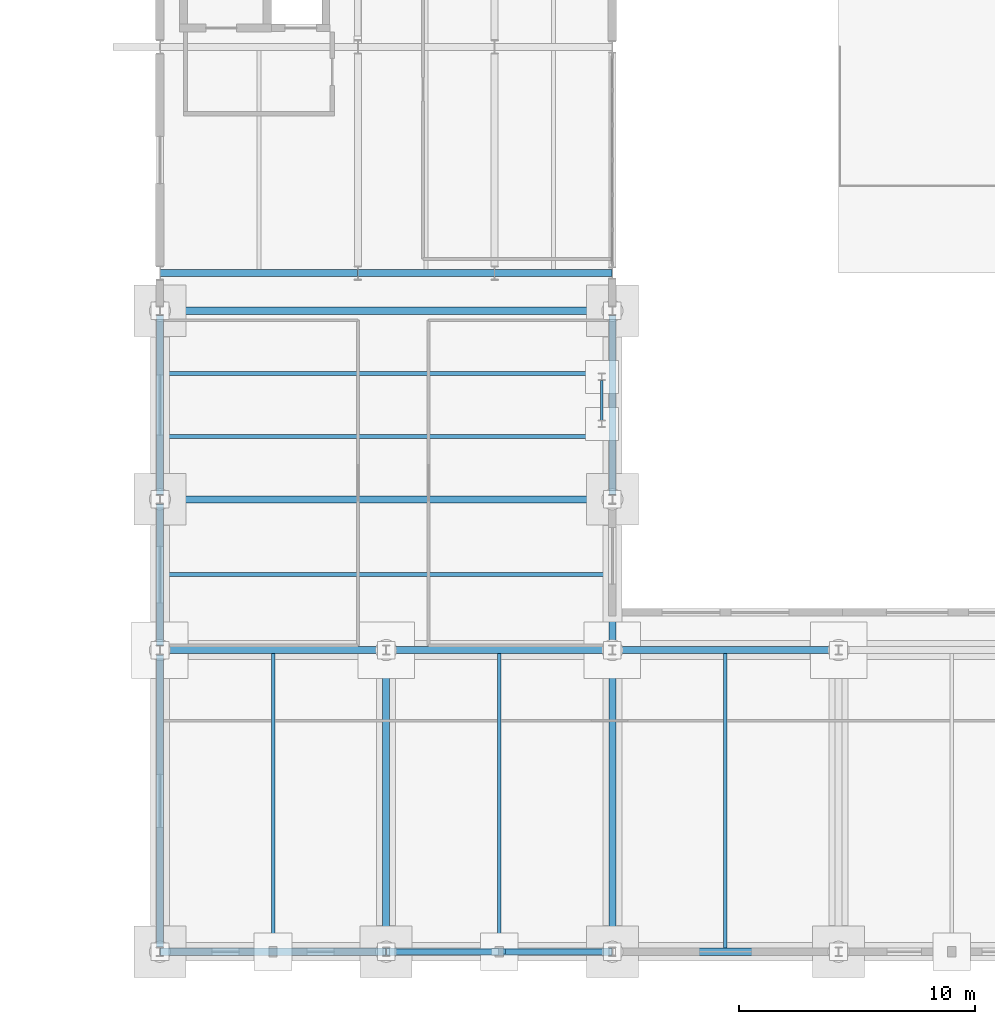
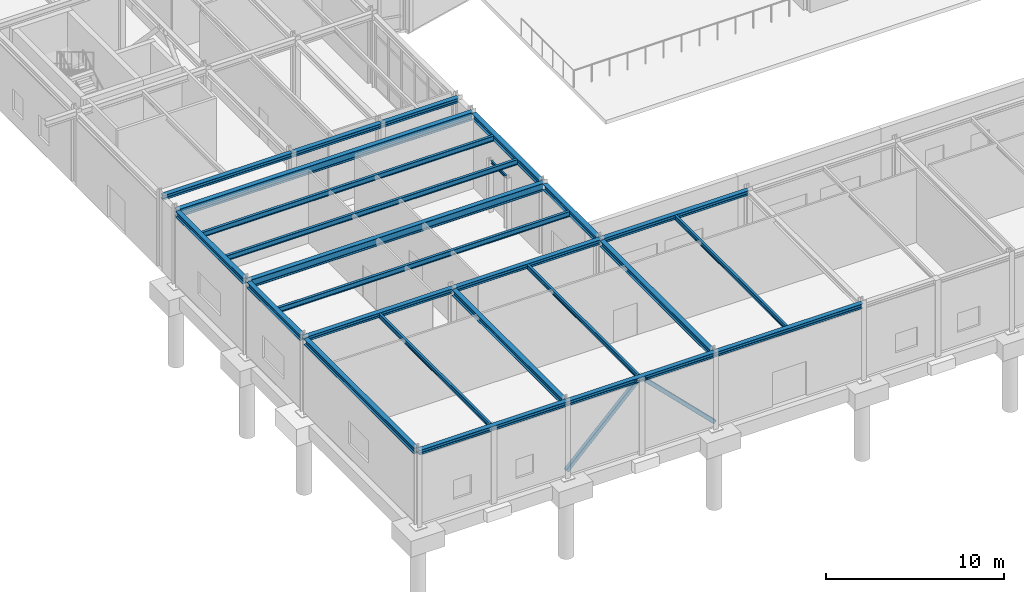
# One storey, part 20 of 109: 25 beams, 2 members.
"""IFC4 building model written with IfcOpenShell, lengths in metres."""

from ifc_helpers import new_model, si_unit, direction, frame, origin, origin_2d, place, context, subcontext, project, spatial, hollow_rectangle, i_section, extrude, material, material_profile, profile_set, type_object, element, save


model = new_model("IFC4")

# Units and contexts
model_context = context("Model", 3, precision=1e-05, world=origin(), true_north=direction((0.0, 1.0)))
body_context = subcontext(model_context, "Body", "Model", "MODEL_VIEW")
ifc_project = project(units=[si_unit("LENGTHUNIT", "METRE"), si_unit("AREAUNIT", "SQUARE_METRE"), si_unit("VOLUMEUNIT", "CUBIC_METRE"), si_unit("PLANEANGLEUNIT", "RADIAN"), si_unit("MASSUNIT", "GRAM", prefix="KILO")], contexts=[model_context])

# Site, building, storey
site_placement = place(None, origin())
site = spatial("IfcSite", under=ifc_project, at=site_placement, CompositionType="ELEMENT")
building_placement = place(site_placement, origin())
building = spatial("IfcBuilding", under=site, at=building_placement, Name="Nordkorset Police Headquarters", CompositionType="ELEMENT")
storey_placement = place(building_placement, origin())
storey = spatial("IfcBuildingStorey", under=building, at=storey_placement, Name="L00", CompositionType="ELEMENT", Elevation=0.0)

# Beams
ifc_material_1 = material(Name="Steel S355J2", Category="steel")
ifc_material_profile_1 = material_profile(ifc_material_1, i_section(OverallWidth=0.14990234375, OverallDepth=0.300048828125, WebThickness=0.007080078125, FlangeThickness=0.0107421875, FilletRadius=0.014892578125, at=origin_2d()), Name="IPE 300")
ifc_profile_set_1 = profile_set([ifc_material_profile_1], Name="Steel S355J2")
beam_type_1 = type_object("IfcBeamType", Name="Beam_IPE_300", PredefinedType="JOIST", material=ifc_profile_set_1)
for number, where, z_axis, x_axis, name in (
    (1, (4.800048828125, 0.14990234375, 4.85009765625), (0.0, 1.0, 0.0), (-1.0, 0.0, 0.0), "Composite Floor Beam V7S L00 0-0-1"),
    (2, (14.39990234375, 0.14990234375, 4.85009765625), (0.0, 1.0, 0.0), (-1.0, 0.0, 0.0), "Composite Floor Beam V7S L00 1-0-1"),
    (3, (24.0, 0.14990234375, 4.85009765625), (0.0, 1.0, 0.0), (-1.0, 0.0, 0.0), "Composite Floor Beam V7S L00 2-0-1"),
):
    element("IfcBeam", number, at=place(storey_placement, frame(where, z_axis=z_axis, x_axis=x_axis)), inside=storey, type_object=beam_type_1, Name=name, PredefinedType="JOIST", context=body_context, shape_type="SweptSolid", body=[
        extrude(i_section(OverallWidth=0.14990234375, OverallDepth=0.300048828125, WebThickness=0.007080078125, FlangeThickness=0.0107421875, FilletRadius=0.014892578125, at=origin_2d()), origin(), (0.0, 0.0, 1.0), 12.5),
    ])
ifc_material_2 = material(Name="Steel S355J2", Category="steel")
ifc_material_profile_2 = material_profile(ifc_material_2, i_section(OverallWidth=0.169921875, OverallDepth=0.360107421875, WebThickness=0.008056640625, FlangeThickness=0.0126953125, FilletRadius=0.01806640625, at=origin_2d()), Name="IPE 360")
ifc_profile_set_2 = profile_set([ifc_material_profile_2], Name="Steel S355J2")
beam_type_2 = type_object("IfcBeamType", Name="Beam_IPE_360", PredefinedType="BEAM", material=ifc_profile_set_2)
for number, where, z_axis, x_axis, name in (
    (4, (0.14990234375, 16.0, 4.820068359375), (1.0, 0.0, 0.0), (0.0, 1.0, 0.0), "Composite Floor Beam V7W L00 0-0-1"),
    (5, (0.14990234375, 21.86669921875, 4.820068359375), (1.0, 0.0, 0.0), (0.0, 1.0, 0.0), "Composite Floor Beam V7W L00 0-1-1"),
    (6, (0.14990234375, 24.533447265625, 4.820068359375), (1.0, 0.0, 0.0), (0.0, 1.0, 0.0), "Composite Floor Beam V7W L00 0-1-2"),
):
    element("IfcBeam", number, at=place(storey_placement, frame(where, z_axis=z_axis, x_axis=x_axis)), inside=storey, type_object=beam_type_2, Name=name, PredefinedType="BEAM", context=body_context, shape_type="SweptSolid", body=[
        extrude(i_section(OverallWidth=0.169921875, OverallDepth=0.360107421875, WebThickness=0.008056640625, FlangeThickness=0.0126953125, FilletRadius=0.01806640625, at=origin_2d()), origin(), (0.0, 0.0, 1.0), 18.900146484375),
    ])

# Members
ifc_material_3 = material(Name="Steel S355J2", Category="steel")
ifc_material_profile_3 = material_profile(ifc_material_3, hollow_rectangle(XDim=0.25, YDim=0.25, WallThickness=0.012451171875, InnerFilletRadius=0.012451171875, OuterFilletRadius=0.02490234375, at=origin_2d()), Name="SHS 250x250x12.5")
ifc_profile_set_3 = profile_set([ifc_material_profile_3], Name="Steel S355J2")
member_type = type_object("IfcMemberType", Name="Brace_SHS_250x250x12.5", PredefinedType="BRACE", material=ifc_profile_set_3)
for number, where, z_axis, x_axis, name in (
    (7, (9.606689453125, 0.0, 0.199951171875), (0.709655969555, 0.0, 0.704548369436), (0.0, 1.0, 0.0), "Lateral Chevron Brace BF-EXT-V7S1 L00 D1"),
    (8, (19.193359375, 0.0, 0.199951171875), (-0.709655969555, 0.0, 0.704548369436), (0.0, -1.0, 0.0), "Lateral Chevron Brace BF-EXT-V7S1 L00 D2"),
):
    element("IfcMember", number, at=place(storey_placement, frame(where, z_axis=z_axis, x_axis=x_axis)), inside=storey, type_object=member_type, Name=name, PredefinedType="BRACE", context=body_context, shape_type="SweptSolid", body=[
        extrude(hollow_rectangle(XDim=0.25, YDim=0.25, WallThickness=0.012451171875, InnerFilletRadius=0.012451171875, OuterFilletRadius=0.02490234375, at=origin_2d()), origin(), (0.0, 0.0, 1.0), 6.500732421875),
    ])

# Beams
ifc_material_4 = material(Name="Steel S355J2", Category="steel")
ifc_material_profile_4 = material_profile(ifc_material_4, i_section(OverallWidth=0.300048828125, OverallDepth=0.389892578125, WebThickness=0.010986328125, FlangeThickness=0.01904296875, FilletRadius=0.027099609375, at=origin_2d()), Name="HEA 400")
ifc_profile_set_4 = profile_set([ifc_material_profile_4], Name="Steel S355J2")
beam_type_3 = type_object("IfcBeamType", Name="Girder_HEA_400", PredefinedType="USERDEFINED", material=ifc_profile_set_4)
for number, where, z_axis, x_axis, name in (
    (9, (0.0, 0.199951171875, 4.804931640625), (0.0, 1.0, 0.0), (-1.0, 0.0, 0.0), "Girder V7S L00 GY-0-0"),
    (10, (9.60009765625, 0.199951171875, 4.804931640625), (0.0, 1.0, 0.0), (-1.0, 0.0, 0.0), "Girder V7S L00 GY-1-0"),
    (11, (19.199951171875, 0.199951171875, 4.804931640625), (0.0, 1.0, 0.0), (-1.0, 0.0, 0.0), "Girder V7S L00 GY-2-0"),
):
    element("IfcBeam", number, at=place(storey_placement, frame(where, z_axis=z_axis, x_axis=x_axis)), inside=storey, type_object=beam_type_3, Name=name, ObjectType="GIRDER", PredefinedType="USERDEFINED", context=body_context, shape_type="SweptSolid", body=[
        extrude(i_section(OverallWidth=0.300048828125, OverallDepth=0.389892578125, WebThickness=0.010986328125, FlangeThickness=0.01904296875, FilletRadius=0.027099609375, at=origin_2d()), origin(), (0.0, 0.0, 1.0), 12.400146484375),
    ])
beam_1_placement = place(storey_placement, frame((0.0, 13.0, 4.804931640625), z_axis=(0.0, 1.0, 0.0), x_axis=(-1.0, 0.0, 0.0)))
element("IfcBeam", 12, at=beam_1_placement, inside=storey, type_object=beam_type_3, Name="Girder V7W L00 GY-0-0", ObjectType="GIRDER", PredefinedType="USERDEFINED", context=body_context, shape_type="SweptSolid", body=[
    extrude(i_section(OverallWidth=0.300048828125, OverallDepth=0.389892578125, WebThickness=0.010986328125, FlangeThickness=0.01904296875, FilletRadius=0.027099609375, at=origin_2d()), origin(), (0.0, 0.0, 1.0), 6.0),
])
beam_2_placement = place(storey_placement, frame((0.0, 19.39990234375, 4.804931640625), z_axis=(0.0, 1.0, 0.0), x_axis=(-1.0, 0.0, 0.0)))
element("IfcBeam", 13, at=beam_2_placement, inside=storey, type_object=beam_type_3, Name="Girder V7W L00 GY-0-1", ObjectType="GIRDER", PredefinedType="USERDEFINED", context=body_context, shape_type="SweptSolid", body=[
    extrude(i_section(OverallWidth=0.300048828125, OverallDepth=0.389892578125, WebThickness=0.010986328125, FlangeThickness=0.01904296875, FilletRadius=0.027099609375, at=origin_2d()), origin(), (0.0, 0.0, 1.0), 7.60009765625),
])
beam_3_placement = place(storey_placement, frame((19.199951171875, 13.0, 4.804931640625), z_axis=(0.0, 1.0, 0.0), x_axis=(-1.0, 0.0, 0.0)))
element("IfcBeam", 14, at=beam_3_placement, inside=storey, type_object=beam_type_3, Name="Girder V7W L00 GY-1-0", ObjectType="GIRDER", PredefinedType="USERDEFINED", context=body_context, shape_type="SweptSolid", body=[
    extrude(i_section(OverallWidth=0.300048828125, OverallDepth=0.389892578125, WebThickness=0.010986328125, FlangeThickness=0.01904296875, FilletRadius=0.027099609375, at=origin_2d()), origin(), (0.0, 0.0, 1.0), 6.0),
])
beam_4_placement = place(storey_placement, frame((19.199951171875, 19.39990234375, 4.804931640625), z_axis=(0.0, 1.0, 0.0), x_axis=(-1.0, 0.0, 0.0)))
element("IfcBeam", 15, at=beam_4_placement, inside=storey, type_object=beam_type_3, Name="Girder V7W L00 GY-1-1", ObjectType="GIRDER", PredefinedType="USERDEFINED", context=body_context, shape_type="SweptSolid", body=[
    extrude(i_section(OverallWidth=0.300048828125, OverallDepth=0.389892578125, WebThickness=0.010986328125, FlangeThickness=0.01904296875, FilletRadius=0.027099609375, at=origin_2d()), origin(), (0.0, 0.0, 1.0), 7.60009765625),
])
ifc_material_5 = material(Name="Steel S355J2", Category="steel")
ifc_material_profile_5 = material_profile(ifc_material_5, i_section(OverallWidth=0.300048828125, OverallDepth=0.5400390625, WebThickness=0.012451171875, FlangeThickness=0.02392578125, FilletRadius=0.027099609375, at=origin_2d()), Name="HEA 550")
ifc_profile_set_5 = profile_set([ifc_material_profile_5], Name="Steel S355J2")
beam_type_4 = type_object("IfcBeamType", Name="Girder_HEA_550", PredefinedType="USERDEFINED", material=ifc_profile_set_5)
for number, where, z_axis, x_axis, name in (
    (16, (0.006591796875, 19.199951171875, 4.72998046875), (1.0, 0.0, 0.0), (0.0, 1.0, 0.0), "Girder V7W L00 GX-1-0"),
    (17, (0.006591796875, 27.199951171875, 4.72998046875), (1.0, 0.0, 0.0), (0.0, 1.0, 0.0), "Girder V7W L00 GX-2-0"),
):
    element("IfcBeam", number, at=place(storey_placement, frame(where, z_axis=z_axis, x_axis=x_axis)), inside=storey, type_object=beam_type_4, Name=name, ObjectType="GIRDER", PredefinedType="USERDEFINED", context=body_context, shape_type="SweptSolid", body=[
        extrude(i_section(OverallWidth=0.300048828125, OverallDepth=0.5400390625, WebThickness=0.012451171875, FlangeThickness=0.02392578125, FilletRadius=0.027099609375, at=origin_2d()), origin(), (0.0, 0.0, 1.0), 19.186767578125),
    ])
ifc_material_6 = material(Name="Steel S355J2", Category="steel")
ifc_material_profile_6 = material_profile(ifc_material_6, i_section(OverallWidth=0.10009765625, OverallDepth=0.199951171875, WebThickness=0.005615234375, FlangeThickness=0.008544921875, FilletRadius=0.011962890625, at=origin_2d()), Name="IPE 200")
ifc_profile_set_6 = profile_set([ifc_material_profile_6], Name="Steel S355J2")
beam_type_5 = type_object("IfcBeamType", Name="Lintel_IPE_200", PredefinedType="LINTEL", material=ifc_profile_set_6)
beam_5_placement = place(storey_placement, frame((18.75, 22.550048828125, 3.449951171875), z_axis=(0.0, 1.0, 0.0), x_axis=(-1.0, 0.0, 0.0)))
element("IfcBeam", 18, at=beam_5_placement, inside=storey, type_object=beam_type_5, Name="Opening Steel Lintel LNT-V7-W", PredefinedType="LINTEL", context=body_context, shape_type="SweptSolid", body=[
    extrude(i_section(OverallWidth=0.10009765625, OverallDepth=0.199951171875, WebThickness=0.005615234375, FlangeThickness=0.008544921875, FilletRadius=0.011962890625, at=origin_2d()), origin(), (0.0, 0.0, 1.0), 1.699951171875),
])
ifc_material_7 = material(Name="Steel S355J2", Category="steel")
ifc_material_profile_7 = material_profile(ifc_material_7, i_section(OverallWidth=0.300048828125, OverallDepth=0.31005859375, WebThickness=0.009033203125, FlangeThickness=0.015380859375, FilletRadius=0.027099609375, at=origin_2d()), Name="HEA 320")
ifc_profile_set_7 = profile_set([ifc_material_profile_7], Name="Steel S355J2")
beam_type_6 = type_object("IfcBeamType", Name="Spandrel_HEA_320", PredefinedType="SPANDREL", material=ifc_profile_set_7)
beam_6_placement = place(storey_placement, frame((0.0078125, 28.800048828125, 4.844970703125), z_axis=(1.0, 0.0, 0.0), x_axis=(0.0, 1.0, 0.0)))
element("IfcBeam", 19, at=beam_6_placement, inside=storey, type_object=beam_type_6, Name="Girder V3 L00 GX-0-0", PredefinedType="SPANDREL", context=body_context, shape_type="SweptSolid", body=[
    extrude(i_section(OverallWidth=0.300048828125, OverallDepth=0.31005859375, WebThickness=0.009033203125, FlangeThickness=0.015380859375, FilletRadius=0.027099609375, at=origin_2d()), origin(), (0.0, 0.0, 1.0), 8.384521484375),
])
beam_7_placement = place(storey_placement, frame((8.40771484375, 28.800048828125, 4.844970703125), z_axis=(1.0, 0.0, 0.0), x_axis=(0.0, 1.0, 0.0)))
element("IfcBeam", 20, at=beam_7_placement, inside=storey, type_object=beam_type_6, Name="Girder V3 L00 GX-0-1", PredefinedType="SPANDREL", context=body_context, shape_type="SweptSolid", body=[
    extrude(i_section(OverallWidth=0.300048828125, OverallDepth=0.31005859375, WebThickness=0.009033203125, FlangeThickness=0.015380859375, FilletRadius=0.027099609375, at=origin_2d()), origin(), (0.0, 0.0, 1.0), 5.78466796875),
])
beam_8_placement = place(storey_placement, frame((14.207763671875, 28.800048828125, 4.844970703125), z_axis=(1.0, 0.0, 0.0), x_axis=(0.0, 1.0, 0.0)))
element("IfcBeam", 21, at=beam_8_placement, inside=storey, type_object=beam_type_6, Name="Girder V3 L00 GX-0-2", PredefinedType="SPANDREL", context=body_context, shape_type="SweptSolid", body=[
    extrude(i_section(OverallWidth=0.300048828125, OverallDepth=0.31005859375, WebThickness=0.009033203125, FlangeThickness=0.015380859375, FilletRadius=0.027099609375, at=origin_2d()), origin(), (0.0, 0.0, 1.0), 4.98486328125),
])
for number, where, z_axis, x_axis, name in (
    (22, (0.006591796875, 0.0, 4.844970703125), (1.0, 0.0, 0.0), (0.0, 1.0, 0.0), "Girder V7S L00 GX-0-0"),
    (23, (9.606689453125, 0.0, 4.844970703125), (1.0, 0.0, 0.0), (0.0, 1.0, 0.0), "Girder V7S L00 GX-0-1"),
):
    element("IfcBeam", number, at=place(storey_placement, frame(where, z_axis=z_axis, x_axis=x_axis)), inside=storey, type_object=beam_type_6, Name=name, PredefinedType="SPANDREL", context=body_context, shape_type="SweptSolid", body=[
        extrude(i_section(OverallWidth=0.300048828125, OverallDepth=0.31005859375, WebThickness=0.009033203125, FlangeThickness=0.015380859375, FilletRadius=0.027099609375, at=origin_2d()), origin(), (0.0, 0.0, 1.0), 9.586669921875),
    ])
beam_9_placement = place(storey_placement, frame((19.206787109375, 0.0, 4.844970703125), z_axis=(1.0, 0.0, 0.0), x_axis=(0.0, 1.0, 0.0)))
element("IfcBeam", 24, at=beam_9_placement, inside=storey, type_object=beam_type_6, Name="Girder V7S L00 GX-0-2", PredefinedType="SPANDREL", context=body_context, shape_type="SweptSolid", body=[
    extrude(i_section(OverallWidth=0.300048828125, OverallDepth=0.31005859375, WebThickness=0.009033203125, FlangeThickness=0.015380859375, FilletRadius=0.027099609375, at=origin_2d()), origin(), (0.0, 0.0, 1.0), 9.58642578125),
])
for number, where, z_axis, x_axis, name in (
    (25, (0.006591796875, 12.800048828125, 4.844970703125), (1.0, 0.0, 0.0), (0.0, 1.0, 0.0), "Girder V7S L00 GX-1-0"),
    (26, (9.606689453125, 12.800048828125, 4.844970703125), (1.0, 0.0, 0.0), (0.0, 1.0, 0.0), "Girder V7S L00 GX-1-1"),
):
    element("IfcBeam", number, at=place(storey_placement, frame(where, z_axis=z_axis, x_axis=x_axis)), inside=storey, type_object=beam_type_6, Name=name, PredefinedType="SPANDREL", context=body_context, shape_type="SweptSolid", body=[
        extrude(i_section(OverallWidth=0.300048828125, OverallDepth=0.31005859375, WebThickness=0.009033203125, FlangeThickness=0.015380859375, FilletRadius=0.027099609375, at=origin_2d()), origin(), (0.0, 0.0, 1.0), 9.586669921875),
    ])
beam_10_placement = place(storey_placement, frame((19.206787109375, 12.800048828125, 4.844970703125), z_axis=(1.0, 0.0, 0.0), x_axis=(0.0, 1.0, 0.0)))
element("IfcBeam", 27, at=beam_10_placement, inside=storey, type_object=beam_type_6, Name="Girder V7S L00 GX-1-2", PredefinedType="SPANDREL", context=body_context, shape_type="SweptSolid", body=[
    extrude(i_section(OverallWidth=0.300048828125, OverallDepth=0.31005859375, WebThickness=0.009033203125, FlangeThickness=0.015380859375, FilletRadius=0.027099609375, at=origin_2d()), origin(), (0.0, 0.0, 1.0), 9.58642578125),
])

save(model, "model.ifc")
